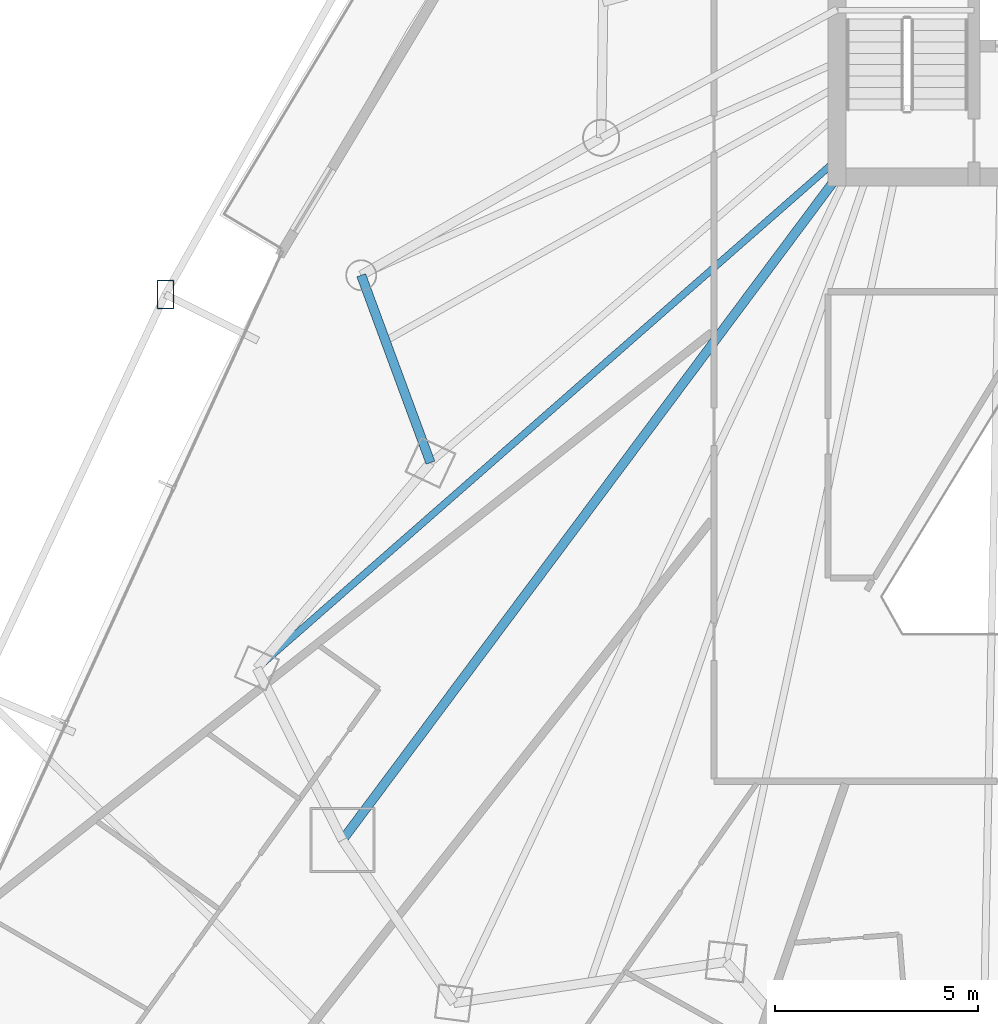
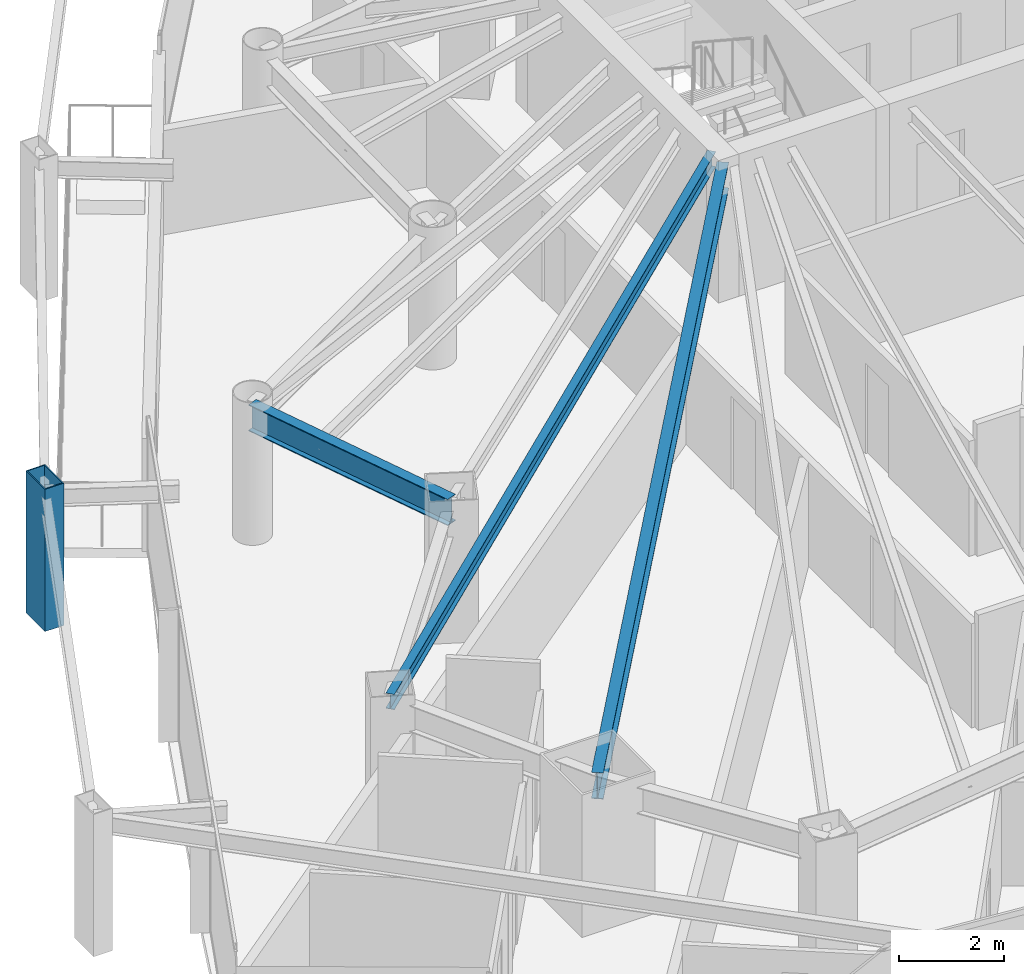
# One storey, part 10 of 37: 3 beams, 1 member.
"""IFC4 building model written with IfcOpenShell, lengths in metres."""

from ifc_helpers import new_model, si_unit, direction, frame, origin, origin_2d, place, context, subcontext, project, spatial, hollow_rectangle, i_section, extrude, material, material_profile, profile_set, type_object, element, save


model = new_model("IFC4")

# Units and contexts
model_context = context("Model", 3, precision=1e-05, world=origin(), true_north=direction((0.0, 1.0)))
body_context = subcontext(model_context, "Body", "Model", "MODEL_VIEW")
ifc_project = project(units=[si_unit("LENGTHUNIT", "METRE"), si_unit("AREAUNIT", "SQUARE_METRE"), si_unit("VOLUMEUNIT", "CUBIC_METRE"), si_unit("PLANEANGLEUNIT", "RADIAN"), si_unit("MASSUNIT", "GRAM", prefix="KILO")], contexts=[model_context])

# Site, building, storey
site_placement = place(None, origin())
site = spatial("IfcSite", under=ifc_project, at=site_placement, CompositionType="ELEMENT")
building_placement = place(site_placement, origin())
building = spatial("IfcBuilding", under=site, at=building_placement, Name="Orvanel Arch Residences", CompositionType="ELEMENT")
storey_placement = place(building_placement, frame((0.0, 0.0, 53.300048828125)))
storey = spatial("IfcBuildingStorey", under=building, at=storey_placement, Name="L14", CompositionType="ELEMENT", Elevation=53.300048828125)

# Beams
ifc_material_1 = material(Name="Structural steel AS/NZS 3679.1 Grade 300 (300 MPa)", Category="steel")
ifc_material_profile_1 = material_profile(ifc_material_1, i_section(OverallWidth=0.22900390625, OverallDepth=0.612060546875, WebThickness=0.011962890625, FlangeThickness=0.01953125, at=origin_2d()), Name="610UB125")
ifc_profile_set_1 = profile_set([ifc_material_profile_1], Name="Structural steel AS/NZS 3679.1 Grade 300 (300 MPa)")
beam_type_1 = type_object("IfcBeamType", Name="BG-610UB", PredefinedType="BEAM", material=ifc_profile_set_1)
beam_1_placement = place(storey_placement, frame((26.375, 26.675048828125, 2.75390625), z_axis=(-0.597893733742, -0.801575375839, 0.0), x_axis=(0.801575375839, -0.597893733742, 0.0)))
element("IfcBeam", 1, at=beam_1_placement, inside=storey, type_object=beam_type_1, Name="L14 South-West Radial Girder", PredefinedType="BEAM", context=body_context, shape_type="SweptSolid", body=[
    extrude(i_section(OverallWidth=0.22900390625, OverallDepth=0.612060546875, WebThickness=0.011962890625, FlangeThickness=0.01953125, at=origin_2d()), origin(), (0.0, 0.0, 1.0), 20.36474609375),
])
ifc_material_profile_2 = material_profile(ifc_material_1, i_section(OverallWidth=0.1708984375, OverallDepth=0.35595703125, WebThickness=0.00732421875, FlangeThickness=0.011474609375, at=origin_2d()), Name="360UB50.7")
ifc_profile_set_2 = profile_set([ifc_material_profile_2], Name="Structural steel AS/NZS 3679.1 Grade 300 (300 MPa)")
beam_type_2 = type_object("IfcBeamType", Name="BJ-360UB", PredefinedType="JOIST", material=ifc_profile_set_2)
beam_2_placement = place(storey_placement, frame((26.375, 27.10009765625, 2.8818359375), z_axis=(-0.751924114057, -0.659249669472, 0.0), x_axis=(0.659249669472, -0.751924114057, 0.0)))
element("IfcBeam", 2, at=beam_2_placement, inside=storey, type_object=beam_type_2, Name="L14 MW Wing Floor Joist", PredefinedType="JOIST", context=body_context, shape_type="SweptSolid", body=[
    extrude(i_section(OverallWidth=0.1708984375, OverallDepth=0.35595703125, WebThickness=0.00732421875, FlangeThickness=0.011474609375, at=origin_2d()), origin(), (0.0, 0.0, 1.0), 18.9912109375),
])

# Member
ifc_material_2 = material(Name="Structural steel AS/NZS 3678 Grade 350", Category="steel")
ifc_material_profile_3 = material_profile(ifc_material_2, hollow_rectangle(XDim=0.419921875, YDim=0.719970703125, WallThickness=0.02490234375, at=origin_2d()), Name="RHS720x420x25")
ifc_profile_set_3 = profile_set([ifc_material_profile_3], Name="Structural steel AS/NZS 3678 Grade 350")
member_type = type_object("IfcMemberType", Name="CH-720RHS-EXT", PredefinedType="CHORD", material=ifc_profile_set_3)
member_placement = place(storey_placement, frame((9.839111328125, 23.782958984375, 0.0), z_axis=(0.0, 0.0, 1.0), x_axis=(1.0, 0.0, 0.0)))
element("IfcMember", 3, at=member_placement, inside=storey, type_object=member_type, Name="L14 Outer Perimeter Frame Post 03", PredefinedType="CHORD", context=body_context, shape_type="SweptSolid", body=[
    extrude(hollow_rectangle(XDim=0.419921875, YDim=0.719970703125, WallThickness=0.02490234375, at=origin_2d()), origin(), (0.0, 0.0, 1.0), 3.300048828125),
])

# Beam
ifc_material_profile_4 = material_profile(ifc_material_1, i_section(OverallWidth=0.22900390625, OverallDepth=0.612060546875, WebThickness=0.011962890625, FlangeThickness=0.01953125, at=origin_2d()), Name="610UB125")
ifc_profile_set_4 = profile_set([ifc_material_profile_4], Name="Structural steel AS/NZS 3679.1 Grade 300 (300 MPa)")
beam_type_3 = type_object("IfcBeamType", Name="SP-610UB", PredefinedType="SPANDREL", material=ifc_profile_set_4)
beam_3_placement = place(storey_placement, frame((14.662109375, 24.256103515625, 2.75390625), z_axis=(0.346588434017, -0.938017301229, 0.0), x_axis=(0.938017301229, 0.346588434017, 0.0)))
element("IfcBeam", 4, at=beam_3_placement, inside=storey, type_object=beam_type_3, Name="L14 Perimeter Spandrel Beam 22", PredefinedType="SPANDREL", context=body_context, shape_type="SweptSolid", body=[
    extrude(i_section(OverallWidth=0.22900390625, OverallDepth=0.612060546875, WebThickness=0.011962890625, FlangeThickness=0.01953125, at=origin_2d()), origin(), (0.0, 0.0, 1.0), 4.9189453125),
])

save(model, "model.ifc")
